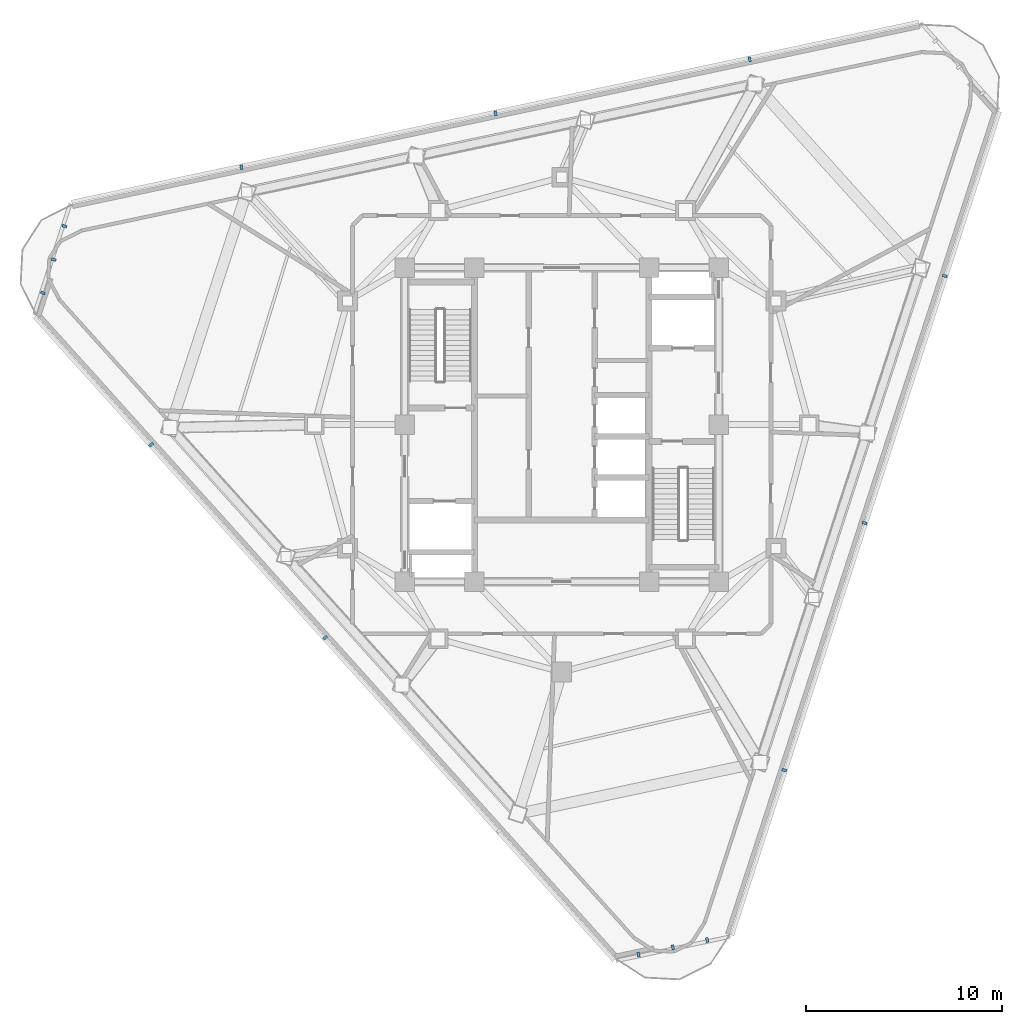
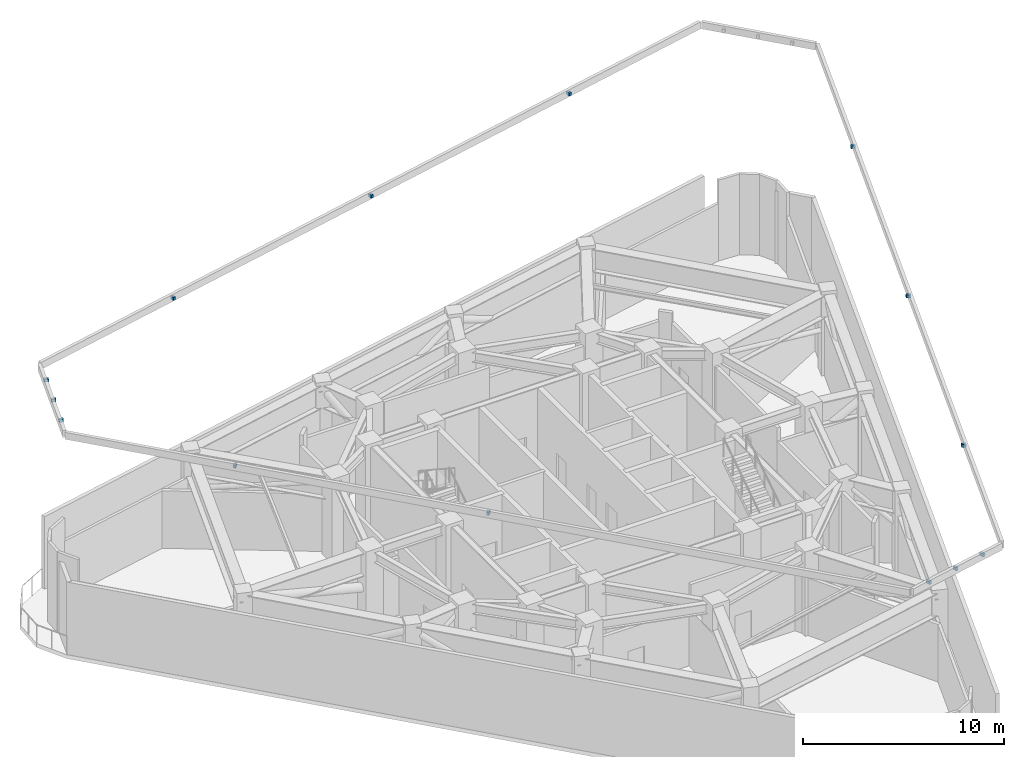
# One storey, part 6 of 10: 14 discrete accessories.
"""IFC4 building model written with IfcOpenShell, lengths in metres."""

from ifc_helpers import new_model, si_unit, direction, frame, origin, origin_2d, place, context, subcontext, project, spatial, rectangle, extrude, material, type_object, element, save


model = new_model("IFC4")

# Units and contexts
model_context = context("Model", 3, precision=1e-05, world=origin(), true_north=direction((0.0, 1.0)))
body_context = subcontext(model_context, "Body", "Model", "MODEL_VIEW")
ifc_project = project(units=[si_unit("LENGTHUNIT", "METRE"), si_unit("AREAUNIT", "SQUARE_METRE"), si_unit("VOLUMEUNIT", "CUBIC_METRE"), si_unit("PLANEANGLEUNIT", "RADIAN"), si_unit("MASSUNIT", "GRAM", prefix="KILO")], contexts=[model_context])

# Site, building, storey
site_placement = place(None, origin())
site = spatial("IfcSite", under=ifc_project, at=site_placement, CompositionType="ELEMENT")
building_placement = place(site_placement, origin())
building = spatial("IfcBuilding", under=site, at=building_placement, Name="Terralouvre Media Tower", CompositionType="ELEMENT")
storey_placement = place(building_placement, frame((0.0, 0.0, 278.10009765625)))
storey = spatial("IfcBuildingStorey", under=building, at=storey_placement, Name="L72", CompositionType="ELEMENT", Elevation=278.10009765625)

# Discrete accessories
ifc_material = material(Name="Anodised extruded aluminium 6063-T6", Category="aluminium")
discrete_accessory_type = type_object("IfcDiscreteAccessoryType", Name="Mullion Stand-Off Baguette Fixing Bracket BK-01", PredefinedType="BRACKET", material=ifc_material)
for number, where, z_axis, x_axis, name in (
    (1, (11.33251953125, -17.599365234375, 13.32177734375), (0.0, 0.0, 1.0), (0.309017021946, 0.951056507337, 0.0), "CW-L72-F0 Louvre Bracket 01"),
    (2, (15.422607421875, -5.01123046875, 13.32177734375), (0.0, 0.0, 1.0), (0.309017021946, 0.951056507337, 0.0), "CW-L72-F0 Louvre Bracket 02"),
    (3, (19.5126953125, 7.5771484375, 13.32177734375), (0.0, 0.0, 1.0), (0.309017021946, 0.951056507337, 0.0), "CW-L72-F0 Louvre Bracket 03"),
    (4, (9.5751953125, 18.614013671875, 13.32177734375), (0.0, 0.0, 1.0), (-0.978147616145, -0.207911618313, 0.0), "CW-L72-F1 Louvre Bracket 01"),
    (5, (-3.37158203125, 15.862060546875, 13.32177734375), (0.0, 0.0, 1.0), (-0.978147616145, -0.207911618313, 0.0), "CW-L72-F1 Louvre Bracket 02"),
    (6, (-16.318359375, 13.110107421875, 13.32177734375), (0.0, 0.0, 1.0), (-0.978147616145, -0.207911618313, 0.0), "CW-L72-F1 Louvre Bracket 03"),
    (7, (-20.90771484375, -1.0146484375, 13.32177734375), (0.0, 0.0, 1.0), (0.669130573531, -0.743144855036, 0.0), "CW-L72-F2 Louvre Bracket 01"),
    (8, (-12.051025390625, -10.850830078125, 13.32177734375), (0.0, 0.0, 1.0), (0.669130573531, -0.743144855036, 0.0), "CW-L72-F2 Louvre Bracket 02"),
    (9, (3.909423828125, -26.98974609375, 13.32177734375), (0.0, 0.0, 1.0), (0.978147609922, 0.207911647592, 0.0), "CW-L72-C0 Louvre Bracket 01"),
    (10, (5.657958984375, -26.617919921875, 13.32177734375), (0.0, 0.0, 1.0), (0.978147609922, 0.207911647592, 0.0), "CW-L72-C0 Louvre Bracket 02"),
    (11, (7.40625, -26.246337890625, 13.32177734375), (0.0, 0.0, 1.0), (0.978147609922, 0.207911647592, 0.0), "CW-L72-C0 Louvre Bracket 03"),
    (12, (-25.328369140625, 10.109130859375, 13.32177734375), (0.0, 0.0, 1.0), (-0.30901654693, -0.951056661679, 0.0), "CW-L72-C2 Louvre Bracket 01"),
    (13, (-25.880859375, 8.4091796875, 13.32177734375), (0.0, 0.0, 1.0), (-0.30901654693, -0.951056661679, 0.0), "CW-L72-C2 Louvre Bracket 02"),
    (14, (-26.43310546875, 6.709228515625, 13.32177734375), (0.0, 0.0, 1.0), (-0.30901654693, -0.951056661679, 0.0), "CW-L72-C2 Louvre Bracket 03"),
):
    element("IfcDiscreteAccessory", number, at=place(storey_placement, frame(where, z_axis=z_axis, x_axis=x_axis)), inside=storey, type_object=discrete_accessory_type, Name=name, PredefinedType="BRACKET", context=body_context, shape_type="SweptSolid", body=[
        extrude(rectangle(XDim=0.139892578125, YDim=0.239990234375, at=origin_2d()), origin(), (0.0, 0.0, 1.0), 0.179931640625),
    ])

save(model, "model.ifc")
